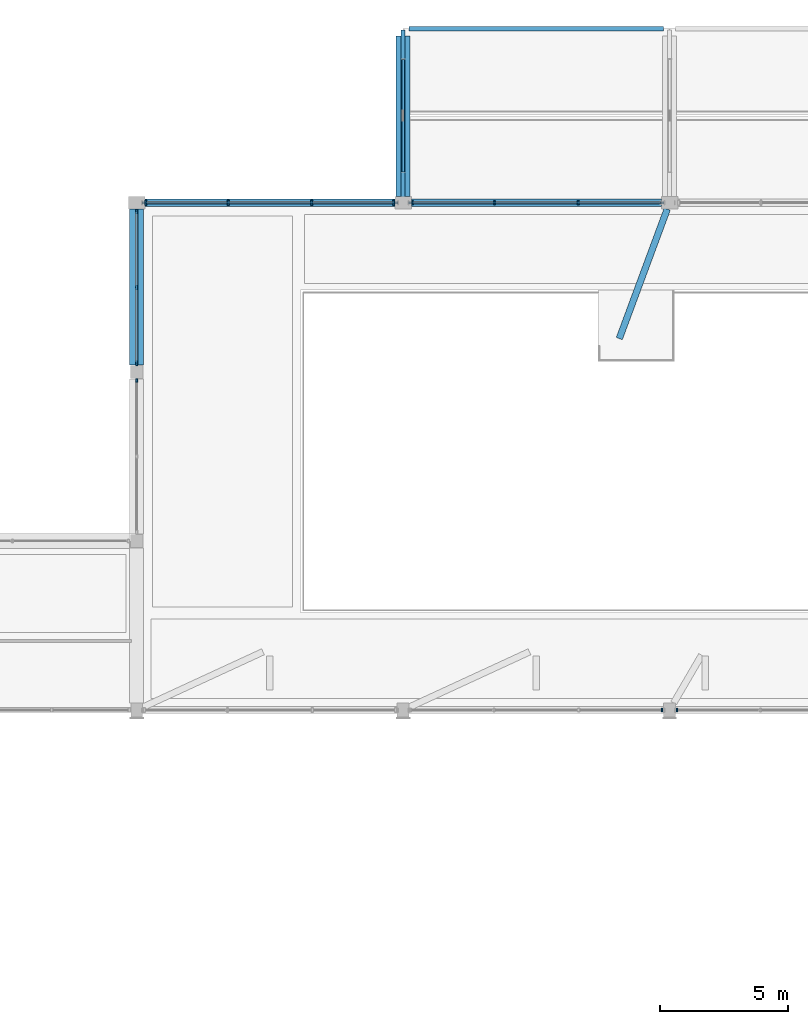
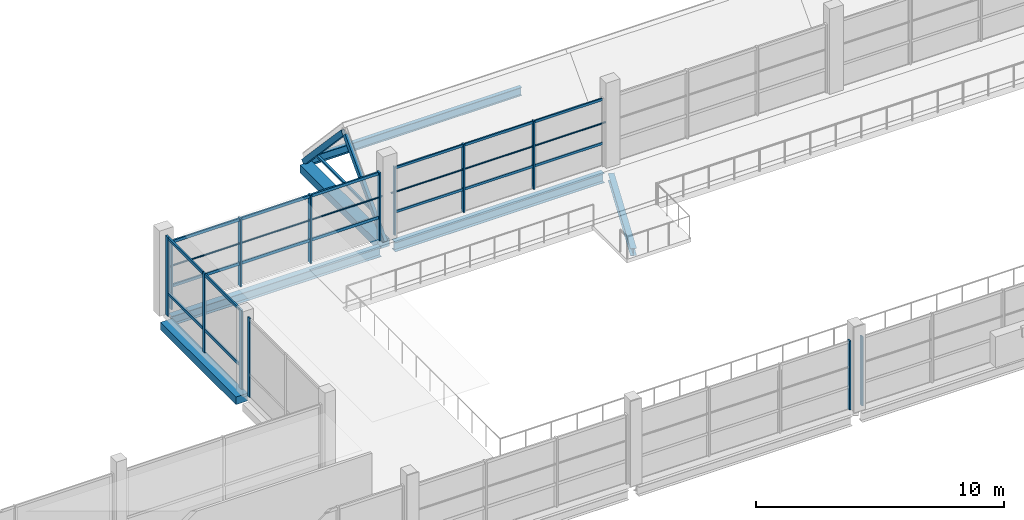
# One storey, part 16 of 85: 24 members, 6 beams, 6 elements without a shape of their own.
"""IFC4 building model written with IfcOpenShell, lengths in metres."""

from ifc_helpers import new_model, si_unit, derived_unit, direction, frame, origin, origin_2d, place, context, subcontext, project, spatial, rectangle, hollow_rectangle, hollow_circle, i_section, extrude, material, material_profile, profile_set, type_object, element, aggregate, save


model = new_model("IFC4")

# Units and contexts
model_context = context("Model", 3, precision=1e-05, world=origin(), true_north=direction((0.0, 1.0)))
body_context = subcontext(model_context, "Body", "Model", "MODEL_VIEW")
ifc_project = project(units=[si_unit("LENGTHUNIT", "METRE"), si_unit("AREAUNIT", "SQUARE_METRE"), si_unit("VOLUMEUNIT", "CUBIC_METRE"), si_unit("PLANEANGLEUNIT", "RADIAN"), si_unit("MASSUNIT", "GRAM", prefix="KILO"), derived_unit("THERMALTRANSMITTANCEUNIT", [(si_unit("POWERUNIT", "WATT"), 1), (si_unit("LENGTHUNIT", "METRE"), -2), (si_unit("THERMODYNAMICTEMPERATUREUNIT", "KELVIN"), -1)])], contexts=[model_context])

# Site, building, storey
site_placement = place(None, origin())
site = spatial("IfcSite", under=ifc_project, at=site_placement, CompositionType="ELEMENT")
building_placement = place(site_placement, origin())
building = spatial("IfcBuilding", under=site, at=building_placement, Name="Braskholm Square Health Centre", CompositionType="ELEMENT")
storey_placement = place(building_placement, frame((0.0, 0.0, 9.300048828125)))
storey = spatial("IfcBuildingStorey", under=building, at=storey_placement, Name="L03", CompositionType="ELEMENT", Elevation=9.300048828125)

# Members
ifc_material_1 = material(Name="Steel ASTM A500 Grade C", Category="steel")
ifc_material_profile_1 = material_profile(ifc_material_1, hollow_circle(Radius=0.04443359375, WallThickness=0.005126953125, at=origin_2d()), Name="HSS3.500X0.216")
ifc_profile_set_1 = profile_set([ifc_material_profile_1], Name="Steel ASTM A500 Grade C")
member_type_1 = type_object("IfcMemberType", Name="ClerestoryGirtStrutCHS89", PredefinedType="STRUT", material=ifc_profile_set_1)
for number, where, z_axis, x_axis, name in (
    (1, (47.81005859375, 107.0, 2.099853515625), (1.0, 0.0, 0.0), (0.0, 1.0, 0.0), "Waiting Hall high clerestory girt Bay 1"),
    (2, (58.2099609375, 107.0, 2.099853515625), (1.0, 0.0, 0.0), (0.0, 1.0, 0.0), "Waiting Hall high clerestory girt Bay 2"),
):
    element("IfcMember", number, at=place(storey_placement, frame(where, z_axis=z_axis, x_axis=x_axis)), inside=storey, type_object=member_type_1, Name=name, PredefinedType="STRUT", context=body_context, shape_type="SweptSolid", body=[
        extrude(hollow_circle(Radius=0.04443359375, WallThickness=0.005126953125, at=origin_2d()), origin(), (0.0, 0.0, 1.0), 9.97998046875),
    ])
ifc_material_profile_2 = material_profile(ifc_material_1, hollow_rectangle(XDim=0.15234375, YDim=0.25390625, WallThickness=0.0087890625, at=origin_2d()), Name="HSS10X6X3/8")
ifc_profile_set_2 = profile_set([ifc_material_profile_2], Name="Steel ASTM A500 Grade C")
member_type_2 = type_object("IfcMemberType", Name="ConservatoryChordHSS10X6", PredefinedType="CHORD", material=ifc_profile_set_2)
member_1_placement = place(storey_placement, frame((58.0, 107.14990234375, -0.320068359375), z_axis=(0.0, 0.685168810037, 0.728384309107), x_axis=(-1.0, 0.0, 0.0)))
element("IfcMember", 3, at=member_1_placement, inside=storey, type_object=member_type_2, Name="ROOF TRUSS Conservatory south rafter 01", PredefinedType="CHORD", context=body_context, shape_type="SweptSolid", body=[
    extrude(hollow_rectangle(XDim=0.15234375, YDim=0.25390625, WallThickness=0.0087890625, at=origin_2d()), origin(), (0.0, 0.0, 1.0), 4.626953125),
])
member_2_placement = place(storey_placement, frame((58.0, 113.64990234375, -0.320068359375), z_axis=(0.0, -0.685140813756, 0.728410643337), x_axis=(1.0, 0.0, 0.0)))
element("IfcMember", 4, at=member_2_placement, inside=storey, type_object=member_type_2, Name="ROOF TRUSS Conservatory north rafter 01", PredefinedType="CHORD", context=body_context, shape_type="SweptSolid", body=[
    extrude(hollow_rectangle(XDim=0.15234375, YDim=0.25390625, WallThickness=0.0087890625, at=origin_2d()), origin(), (0.0, 0.0, 1.0), 4.626708984375),
])
ifc_material_profile_3 = material_profile(ifc_material_1, hollow_rectangle(XDim=0.1015625, YDim=0.1015625, WallThickness=0.005859375, at=origin_2d()), Name="HSS4X4X1/4")
ifc_profile_set_3 = profile_set([ifc_material_profile_3], Name="Steel ASTM A500 Grade C")
member_type_3 = type_object("IfcMemberType", Name="ConservatoryRafterStrutHSS4X4", PredefinedType="STRUT", material=ifc_profile_set_3)
member_3_placement = place(storey_placement, frame((58.0, 108.199951171875, 0.619873046875), z_axis=(0.0, 1.0, 0.0), x_axis=(-1.0, 0.0, 0.0)))
element("IfcMember", 5, at=member_3_placement, inside=storey, type_object=member_type_3, Name="ROOF TRUSS Conservatory collar strut 01", PredefinedType="STRUT", context=body_context, shape_type="SweptSolid", body=[
    extrude(hollow_rectangle(XDim=0.1015625, YDim=0.1015625, WallThickness=0.005859375, at=origin_2d()), origin(), (0.0, 0.0, 1.0), 4.400146484375),
])

# Curtain wall, member
ifc_material_2 = material(Name="Low-E triple insulating glass (VLT 0.64)", Category="glass")
curtain_wall_type_1 = type_object("IfcCurtainWallType", Name="UnitisedCurtainWall6200x3650", PredefinedType="NOTDEFINED", material=ifc_material_2)
curtain_wall_1_placement = place(storey_placement, origin())
curtain_wall_1 = element("IfcCurtainWall", 6, at=curtain_wall_1_placement, inside=storey, type_object=curtain_wall_type_1, Name="Hall Clerestory L03 unitised curtain wall CW-L03-0188", PredefinedType="NOTDEFINED")
ifc_material_3 = material(Name="Architectural bronze anodised aluminium", Category="aluminium")
ifc_material_profile_4 = material_profile(ifc_material_3, rectangle(XDim=0.06494140625, YDim=0.14990234375, at=origin_2d()), Name="ALU-65X150")
ifc_profile_set_4 = profile_set([ifc_material_profile_4], Name="Architectural bronze anodised aluminium")
member_type_4 = type_object("IfcMemberType", Name="CurtainWallMullion65x150", PredefinedType="MULLION", material=ifc_profile_set_4)
member_4_placement = place(storey_placement, frame((68.1083984375, 87.199951171875, 0.0), z_axis=(0.0, 0.0, 1.0), x_axis=(1.0, 0.0, 0.0)))
member_4 = element("IfcMember", 7, at=member_4_placement, type_object=member_type_4, Name="CW-L03-0188 vertical mullion 4", PredefinedType="MULLION", context=body_context, shape_type="SweptSolid", body=[
    extrude(rectangle(XDim=0.06494140625, YDim=0.14990234375, at=origin_2d()), origin(), (0.0, 0.0, 1.0), 3.406005859375),
])
aggregate(curtain_wall_1, [member_4])

curtain_wall_2_placement = place(storey_placement, origin())
curtain_wall_2 = element("IfcCurtainWall", 8, at=curtain_wall_2_placement, inside=storey, type_object=curtain_wall_type_1, Name="Hall Clerestory L03 unitised curtain wall CW-L03-0190", PredefinedType="NOTDEFINED")
member_5_placement = place(storey_placement, frame((68.691650390625, 87.199951171875, 0.0), z_axis=(0.0, 0.0, 1.0), x_axis=(1.0, 0.0, 0.0)))
member_5 = element("IfcMember", 9, at=member_5_placement, type_object=member_type_4, Name="CW-L03-0190 vertical mullion 1", PredefinedType="MULLION", context=body_context, shape_type="SweptSolid", body=[
    extrude(rectangle(XDim=0.06494140625, YDim=0.14990234375, at=origin_2d()), origin(), (0.0, 0.0, 1.0), 3.406005859375),
])
aggregate(curtain_wall_2, [member_5])

curtain_wall_type_2 = type_object("IfcCurtainWallType", Name="UnitisedCurtainWall6200x3800", PredefinedType="NOTDEFINED", material=ifc_material_2)
curtain_wall_3_placement = place(storey_placement, origin())
curtain_wall_3 = element("IfcCurtainWall", 10, at=curtain_wall_3_placement, inside=storey, type_object=curtain_wall_type_2, Name="Hall Cheek L03 unitised curtain wall CW-L03-0226", PredefinedType="NOTDEFINED")
member_6_placement = place(storey_placement, frame((47.60009765625, 100.06396484375, 0.0), z_axis=(0.0, 0.0, 1.0), x_axis=(1.0, 0.0, 0.0)))
member_6 = element("IfcMember", 11, at=member_6_placement, type_object=member_type_4, Name="CW-L03-0226 vertical mullion 1", PredefinedType="MULLION", context=body_context, shape_type="SweptSolid", body=[
    extrude(rectangle(XDim=0.06494140625, YDim=0.14990234375, at=origin_2d()), origin(), (0.0, 0.0, 1.0), 3.89990234375),
])
aggregate(curtain_wall_3, [member_6])

# Curtain wall, members
curtain_wall_4_placement = place(storey_placement, origin())
curtain_wall_4 = element("IfcCurtainWall", 12, at=curtain_wall_4_placement, inside=storey, type_object=curtain_wall_type_1, Name="Hall North Clerestory unitised curtain wall CW-L03-0230", PredefinedType="NOTDEFINED")
member_7_placement = place(storey_placement, frame((64.833251953125, 107.0, 0.0), z_axis=(0.0, 0.0, 1.0), x_axis=(1.0, 0.0, 0.0)))
member_7 = element("IfcMember", 13, at=member_7_placement, type_object=member_type_4, Name="CW-L03-0230 vertical mullion 2", PredefinedType="MULLION", context=body_context, shape_type="SweptSolid", body=[
    extrude(rectangle(XDim=0.06494140625, YDim=0.14990234375, at=origin_2d()), origin(), (0.0, 0.0, 1.0), 3.35595703125),
])
member_8_placement = place(storey_placement, frame((61.566650390625, 107.0, 0.0), z_axis=(0.0, 0.0, 1.0), x_axis=(1.0, 0.0, 0.0)))
member_8 = element("IfcMember", 14, at=member_8_placement, type_object=member_type_4, Name="CW-L03-0230 vertical mullion 3", PredefinedType="MULLION", context=body_context, shape_type="SweptSolid", body=[
    extrude(rectangle(XDim=0.06494140625, YDim=0.14990234375, at=origin_2d()), origin(), (0.0, 0.0, 1.0), 3.35595703125),
])
member_9_placement = place(storey_placement, frame((58.35888671875, 107.0, 0.0), z_axis=(0.0, 0.0, 1.0), x_axis=(1.0, 0.0, 0.0)))
member_9 = element("IfcMember", 15, at=member_9_placement, type_object=member_type_4, Name="CW-L03-0230 vertical mullion 4", PredefinedType="MULLION", context=body_context, shape_type="SweptSolid", body=[
    extrude(rectangle(XDim=0.06494140625, YDim=0.14990234375, at=origin_2d()), origin(), (0.0, 0.0, 1.0), 3.35595703125),
])

curtain_wall_5_placement = place(storey_placement, origin())
curtain_wall_5 = element("IfcCurtainWall", 16, at=curtain_wall_5_placement, inside=storey, type_object=curtain_wall_type_2, Name="Hall Cheek L03 unitised curtain wall CW-L03-0225", PredefinedType="NOTDEFINED")
ifc_material_profile_5 = material_profile(ifc_material_3, rectangle(XDim=0.074951171875, YDim=0.179931640625, at=origin_2d()), Name="ALU-75X180")
ifc_profile_set_5 = profile_set([ifc_material_profile_5], Name="Architectural bronze anodised aluminium")
member_type_5 = type_object("IfcMemberType", Name="CurtainWallMullion75x180", PredefinedType="MULLION", material=ifc_profile_set_5)
member_10_placement = place(storey_placement, frame((47.60009765625, 106.6640625, 0.0), z_axis=(0.0, 0.0, 1.0), x_axis=(1.0, 0.0, 0.0)))
member_10 = element("IfcMember", 17, at=member_10_placement, type_object=member_type_5, Name="CW-L03-0225 vertical mullion 1", PredefinedType="MULLION", context=body_context, shape_type="SweptSolid", body=[
    extrude(rectangle(XDim=0.074951171875, YDim=0.179931640625, at=origin_2d()), origin(), (0.0, 0.0, 1.0), 3.89990234375),
])
member_11_placement = place(storey_placement, frame((47.60009765625, 103.699951171875, 0.0), z_axis=(0.0, 0.0, 1.0), x_axis=(1.0, 0.0, 0.0)))
member_11 = element("IfcMember", 18, at=member_11_placement, type_object=member_type_5, Name="CW-L03-0225 vertical mullion 2", PredefinedType="MULLION", context=body_context, shape_type="SweptSolid", body=[
    extrude(rectangle(XDim=0.074951171875, YDim=0.179931640625, at=origin_2d()), origin(), (0.0, 0.0, 1.0), 3.89990234375),
])
member_12_placement = place(storey_placement, frame((47.60009765625, 100.736083984375, 0.0), z_axis=(0.0, 0.0, 1.0), x_axis=(1.0, 0.0, 0.0)))
member_12 = element("IfcMember", 19, at=member_12_placement, type_object=member_type_5, Name="CW-L03-0225 vertical mullion 3", PredefinedType="MULLION", context=body_context, shape_type="SweptSolid", body=[
    extrude(rectangle(XDim=0.074951171875, YDim=0.179931640625, at=origin_2d()), origin(), (0.0, 0.0, 1.0), 3.89990234375),
])

curtain_wall_6_placement = place(storey_placement, origin())
curtain_wall_6 = element("IfcCurtainWall", 20, at=curtain_wall_6_placement, inside=storey, type_object=curtain_wall_type_1, Name="Hall North Clerestory unitised curtain wall CW-L03-0229", PredefinedType="NOTDEFINED")
member_13_placement = place(storey_placement, frame((57.64111328125, 107.0, 0.0), z_axis=(0.0, 0.0, 1.0), x_axis=(1.0, 0.0, 0.0)))
member_13 = element("IfcMember", 21, at=member_13_placement, type_object=member_type_5, Name="CW-L03-0229 vertical mullion 1", PredefinedType="MULLION", context=body_context, shape_type="SweptSolid", body=[
    extrude(rectangle(XDim=0.074951171875, YDim=0.179931640625, at=origin_2d()), origin(), (0.0, 0.0, 1.0), 3.35595703125),
])
member_14_placement = place(storey_placement, frame((54.433349609375, 107.0, 0.0), z_axis=(0.0, 0.0, 1.0), x_axis=(1.0, 0.0, 0.0)))
member_14 = element("IfcMember", 22, at=member_14_placement, type_object=member_type_5, Name="CW-L03-0229 vertical mullion 2", PredefinedType="MULLION", context=body_context, shape_type="SweptSolid", body=[
    extrude(rectangle(XDim=0.074951171875, YDim=0.179931640625, at=origin_2d()), origin(), (0.0, 0.0, 1.0), 3.35595703125),
])
member_15_placement = place(storey_placement, frame((51.166748046875, 107.0, 0.0), z_axis=(0.0, 0.0, 1.0), x_axis=(1.0, 0.0, 0.0)))
member_15 = element("IfcMember", 23, at=member_15_placement, type_object=member_type_5, Name="CW-L03-0229 vertical mullion 3", PredefinedType="MULLION", context=body_context, shape_type="SweptSolid", body=[
    extrude(rectangle(XDim=0.074951171875, YDim=0.179931640625, at=origin_2d()), origin(), (0.0, 0.0, 1.0), 3.35595703125),
])
member_16_placement = place(storey_placement, frame((47.958740234375, 107.0, 0.0), z_axis=(0.0, 0.0, 1.0), x_axis=(1.0, 0.0, 0.0)))
member_16 = element("IfcMember", 24, at=member_16_placement, type_object=member_type_5, Name="CW-L03-0229 vertical mullion 4", PredefinedType="MULLION", context=body_context, shape_type="SweptSolid", body=[
    extrude(rectangle(XDim=0.074951171875, YDim=0.179931640625, at=origin_2d()), origin(), (0.0, 0.0, 1.0), 3.35595703125),
])

# Member
ifc_material_profile_6 = material_profile(ifc_material_3, rectangle(XDim=0.06494140625, YDim=0.1201171875, at=origin_2d()), Name="ALU-65X120")
ifc_profile_set_6 = profile_set([ifc_material_profile_6], Name="Architectural bronze anodised aluminium")
member_type_6 = type_object("IfcMemberType", Name="CurtainWallTransom65x120", PredefinedType="USERDEFINED", material=ifc_profile_set_6)
member_17_placement = place(storey_placement, frame((68.054931640625, 107.0, 1.119873046875), z_axis=(-1.0, 0.0, 0.0), x_axis=(0.0, -1.0, 0.0)))
member_17 = element("IfcMember", 25, at=member_17_placement, type_object=member_type_6, Name="CW-L03-0230 horizontal transom 1", ObjectType="TRANSOM", PredefinedType="USERDEFINED", context=body_context, shape_type="SweptSolid", body=[
    extrude(rectangle(XDim=0.06494140625, YDim=0.1201171875, at=origin_2d()), origin(), (0.0, 0.0, 1.0), 9.7099609375),
])

member_18_placement = place(storey_placement, frame((68.054931640625, 107.0, 3.285888671875), z_axis=(-1.0, 0.0, 0.0), x_axis=(0.0, -1.0, 0.0)))
member_18 = element("IfcMember", 26, at=member_18_placement, type_object=member_type_6, Name="CW-L03-0230 horizontal transom 2", ObjectType="TRANSOM", PredefinedType="USERDEFINED", context=body_context, shape_type="SweptSolid", body=[
    extrude(rectangle(XDim=0.06494140625, YDim=0.1201171875, at=origin_2d()), origin(), (0.0, 0.0, 1.0), 9.7099609375),
])

aggregate(curtain_wall_4, [member_7, member_8, member_9, member_17, member_18])

ifc_material_profile_7 = material_profile(ifc_material_3, rectangle(XDim=0.074951171875, YDim=0.139892578125, at=origin_2d()), Name="ALU-75X140")
ifc_profile_set_7 = profile_set([ifc_material_profile_7], Name="Architectural bronze anodised aluminium")
member_type_7 = type_object("IfcMemberType", Name="CurtainWallTransom75x140", PredefinedType="USERDEFINED", material=ifc_profile_set_7)
member_19_placement = place(storey_placement, frame((47.60009765625, 106.655029296875, 1.119873046875), z_axis=(0.0, -1.0, 0.0), x_axis=(1.0, 0.0, 0.0)))
member_19 = element("IfcMember", 27, at=member_19_placement, type_object=member_type_7, Name="CW-L03-0225 horizontal transom 1", ObjectType="TRANSOM", PredefinedType="USERDEFINED", context=body_context, shape_type="SweptSolid", body=[
    extrude(rectangle(XDim=0.074951171875, YDim=0.139892578125, at=origin_2d()), origin(), (0.0, 0.0, 1.0), 5.909912109375),
])

member_20_placement = place(storey_placement, frame((47.60009765625, 106.655029296875, 3.829833984375), z_axis=(0.0, -1.0, 0.0), x_axis=(1.0, 0.0, 0.0)))
member_20 = element("IfcMember", 28, at=member_20_placement, type_object=member_type_7, Name="CW-L03-0225 horizontal transom 2", ObjectType="TRANSOM", PredefinedType="USERDEFINED", context=body_context, shape_type="SweptSolid", body=[
    extrude(rectangle(XDim=0.074951171875, YDim=0.139892578125, at=origin_2d()), origin(), (0.0, 0.0, 1.0), 5.909912109375),
])

aggregate(curtain_wall_5, [member_10, member_11, member_12, member_19, member_20])

member_21_placement = place(storey_placement, frame((57.655029296875, 107.0, 1.119873046875), z_axis=(-1.0, 0.0, 0.0), x_axis=(0.0, -1.0, 0.0)))
member_21 = element("IfcMember", 29, at=member_21_placement, type_object=member_type_7, Name="CW-L03-0229 horizontal transom 1", ObjectType="TRANSOM", PredefinedType="USERDEFINED", context=body_context, shape_type="SweptSolid", body=[
    extrude(rectangle(XDim=0.074951171875, YDim=0.139892578125, at=origin_2d()), origin(), (0.0, 0.0, 1.0), 9.7099609375),
])

member_22_placement = place(storey_placement, frame((57.655029296875, 107.0, 3.285888671875), z_axis=(-1.0, 0.0, 0.0), x_axis=(0.0, -1.0, 0.0)))
member_22 = element("IfcMember", 30, at=member_22_placement, type_object=member_type_7, Name="CW-L03-0229 horizontal transom 2", ObjectType="TRANSOM", PredefinedType="USERDEFINED", context=body_context, shape_type="SweptSolid", body=[
    extrude(rectangle(XDim=0.074951171875, YDim=0.139892578125, at=origin_2d()), origin(), (0.0, 0.0, 1.0), 9.7099609375),
])

aggregate(curtain_wall_6, [member_13, member_14, member_15, member_16, member_21, member_22])

# Beams
ifc_material_4 = material(Name="Concrete C35/45 (f'c = 35 MPa)", Category="concrete")
ifc_material_profile_8 = material_profile(ifc_material_4, rectangle(XDim=0.550048828125, YDim=0.3798828125, at=origin_2d()), Name="RCB-550X380")
ifc_profile_set_8 = profile_set([ifc_material_profile_8], Name="Concrete C35/45 (f'c = 35 MPa)")
beam_type_1 = type_object("IfcBeamType", Name="PrimaryBandBeam550x380", PredefinedType="BEAM", material=ifc_profile_set_8)
beam_1_placement = place(storey_placement, frame((47.60009765625, 100.675048828125, -0.489990234375), z_axis=(0.0, 1.0, 0.0), x_axis=(-1.0, 0.0, 0.0)))
element("IfcBeam", 31, at=beam_1_placement, inside=storey, type_object=beam_type_1, Name="Beam 8/Q-R L03", PredefinedType="BEAM", context=body_context, shape_type="SweptSolid", body=[
    extrude(rectangle(XDim=0.550048828125, YDim=0.3798828125, at=origin_2d()), origin(), (0.0, 0.0, 1.0), 6.074951171875),
])
beam_2_placement = place(storey_placement, frame((58.0, 107.25, -0.489990234375), z_axis=(0.0, 1.0, 0.0), x_axis=(-1.0, 0.0, 0.0)))
element("IfcBeam", 32, at=beam_2_placement, inside=storey, type_object=beam_type_1, Name="Beam 9/R-S L03", PredefinedType="BEAM", context=body_context, shape_type="SweptSolid", body=[
    extrude(rectangle(XDim=0.550048828125, YDim=0.3798828125, at=origin_2d()), origin(), (0.0, 0.0, 1.0), 6.27001953125),
])
ifc_material_5 = material(Name="Steel ASTM A992 Grade 50", Category="steel")
ifc_material_profile_9 = material_profile(ifc_material_5, i_section(OverallWidth=0.2548828125, OverallDepth=0.35693359375, WebThickness=0.010498046875, FlangeThickness=0.018310546875, at=origin_2d()), Name="W14X68")
ifc_profile_set_9 = profile_set([ifc_material_profile_9], Name="Steel ASTM A992 Grade 50")
beam_type_2 = type_object("IfcBeamType", Name="SteelBeamCanopyW14X68", PredefinedType="BEAM", material=ifc_profile_set_9)
beam_3_placement = place(storey_placement, frame((66.43701171875, 101.69970703125, -0.478515625), z_axis=(0.347296645068, 0.937755320073, 0.0), x_axis=(-0.937755320073, 0.347296645068, 0.0)))
element("IfcBeam", 33, at=beam_3_placement, inside=storey, type_object=beam_type_2, Name="Tie beam CS3J L03", PredefinedType="BEAM", context=body_context, shape_type="SweptSolid", body=[
    extrude(i_section(OverallWidth=0.2548828125, OverallDepth=0.35693359375, WebThickness=0.010498046875, FlangeThickness=0.018310546875, at=origin_2d()), origin(), (0.0, 0.0, 1.0), 5.3876953125),
])
ifc_material_profile_10 = material_profile(ifc_material_5, i_section(OverallWidth=0.179931640625, OverallDepth=0.4130859375, WebThickness=0.009765625, FlangeThickness=0.01611328125, at=origin_2d()), Name="W16X50")
ifc_profile_set_10 = profile_set([ifc_material_profile_10], Name="Steel ASTM A992 Grade 50")
beam_type_3 = type_object("IfcBeamType", Name="SteelBeamConservatoryW16X50", PredefinedType="BEAM", material=ifc_profile_set_10)
beam_4_placement = place(storey_placement, frame((58.22998046875, 113.800048828125, -0.45654296875), z_axis=(1.0, 0.0, 0.0), x_axis=(0.0, 1.0, 0.0)))
element("IfcBeam", 34, at=beam_4_placement, inside=storey, type_object=beam_type_3, Name="Beam 9-10/S L03", PredefinedType="BEAM", context=body_context, shape_type="SweptSolid", body=[
    extrude(i_section(OverallWidth=0.179931640625, OverallDepth=0.4130859375, WebThickness=0.009765625, FlangeThickness=0.01611328125, at=origin_2d()), origin(), (0.0, 0.0, 1.0), 9.93994140625),
])
ifc_material_profile_11 = material_profile(ifc_material_5, i_section(OverallWidth=0.280029296875, OverallDepth=0.462890625, WebThickness=0.0107421875, FlangeThickness=0.017333984375, at=origin_2d()), Name="W18X76")
ifc_profile_set_11 = profile_set([ifc_material_profile_11], Name="Steel ASTM A992 Grade 50")
beam_type_4 = type_object("IfcBeamType", Name="SteelGirderGalleryW18X76", PredefinedType="BEAM", material=ifc_profile_set_11)
for number, where, z_axis, x_axis, name in (
    (35, (47.925048828125, 107.0, -0.531494140625), (1.0, 0.0, 0.0), (0.0, 1.0, 0.0), "Beam 8-9/R L03"),
    (36, (58.324951171875, 107.0, -0.531494140625), (1.0, 0.0, 0.0), (0.0, 1.0, 0.0), "Beam 9-10/R L03"),
):
    element("IfcBeam", number, at=place(storey_placement, frame(where, z_axis=z_axis, x_axis=x_axis)), inside=storey, type_object=beam_type_4, Name=name, PredefinedType="BEAM", context=body_context, shape_type="SweptSolid", body=[
        extrude(i_section(OverallWidth=0.280029296875, OverallDepth=0.462890625, WebThickness=0.0107421875, FlangeThickness=0.017333984375, at=origin_2d()), origin(), (0.0, 0.0, 1.0), 9.75),
    ])

save(model, "model.ifc")
